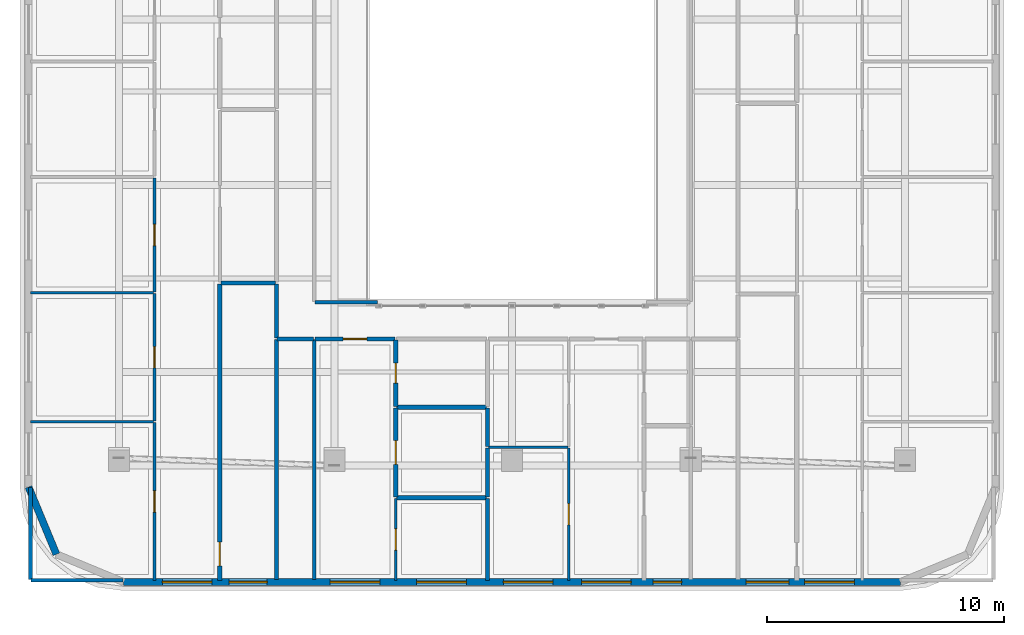
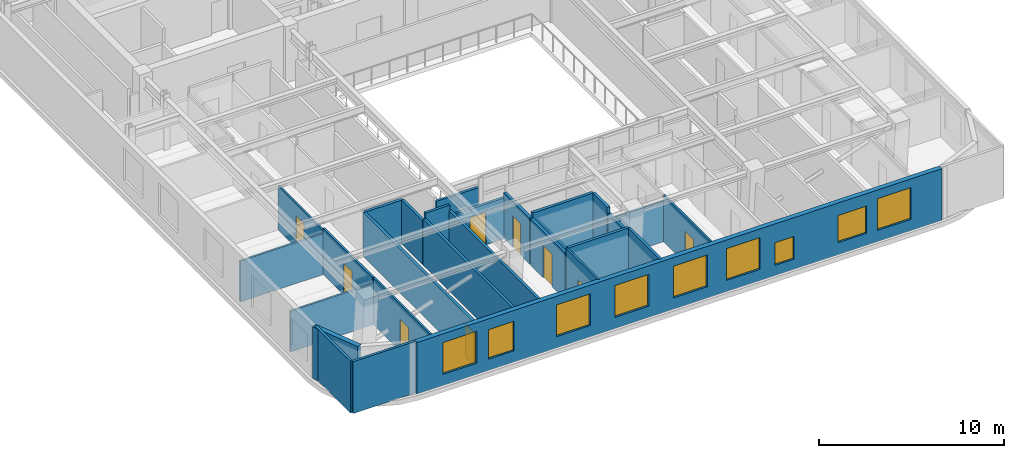
# One storey, part 6 of 13: 27 walls, 9 doors, 9 windows, 18 openings.
"""IFC4 building model written with IfcOpenShell, lengths in metres."""

from ifc_helpers import new_model, si_unit, direction, frame, frame_2d, origin, place, context, subcontext, project, spatial, rectangle, extrude, material, layer, layer_set, type_object, element, fill, save


model = new_model("IFC4")

# Units and contexts
model_context = context("Model", 3, precision=1e-05, world=origin(), true_north=direction((0.0, 1.0)))
body_context = subcontext(model_context, "Body", "Model", "MODEL_VIEW")
ifc_project = project(units=[si_unit("LENGTHUNIT", "METRE"), si_unit("AREAUNIT", "SQUARE_METRE"), si_unit("VOLUMEUNIT", "CUBIC_METRE"), si_unit("PLANEANGLEUNIT", "RADIAN"), si_unit("MASSUNIT", "GRAM", prefix="KILO")], contexts=[model_context])

# Site, building, storey
site_placement = place(None, origin())
site = spatial("IfcSite", under=ifc_project, at=site_placement, CompositionType="ELEMENT")
building_placement = place(site_placement, origin())
building = spatial("IfcBuilding", under=site, at=building_placement, Name="Zarnavel Station Tower", CompositionType="ELEMENT")
storey_placement = place(building_placement, frame((0.0, 0.0, 247.300048828125)))
storey = spatial("IfcBuildingStorey", under=building, at=storey_placement, Name="L67", CompositionType="ELEMENT", Elevation=247.300048828125)

# Wall
ifc_material_1 = material(Name="Precast concrete C45/55 (Dark Basalt Finish)", Category="masonry")
ifc_layer_1 = layer(ifc_material_1, 0.300048828125)
ifc_layer_set_1 = layer_set([ifc_layer_1], Name="EW_BASALT_300")
wall_type_1 = type_object("IfcWallType", Name="EW_BASALT_300", PredefinedType="SOLIDWALL", material=ifc_layer_set_1)
wall_1_placement = place(storey_placement, frame((9.557373046875, -0.24267578125, 0.0), z_axis=(0.0, 0.0, 1.0), x_axis=(-0.382676475685, 0.923882414032, 0.0)))
element("IfcWall", 1, at=wall_1_placement, inside=storey, type_object=wall_type_1, Name="L67 Exterior Basalt Masonry Frame Wall 10", PredefinedType="SOLIDWALL", context=body_context, shape_type="SweptSolid", body=[
    extrude(rectangle(XDim=3.076904296875, YDim=0.300048828125, at=frame_2d((1.53857421875, 0.0))), origin(), (0.0, 0.0, 1.0), 3.419921875),
])

# Wall, openings, windows
wall_2_placement = place(storey_placement, frame((45.199951171875, -1.419921875, 0.0), z_axis=(0.0, 0.0, 1.0), x_axis=(-1.0, 0.0, 0.0)))
wall_2 = element("IfcWall", 2, at=wall_2_placement, inside=storey, type_object=wall_type_1, Name="L67 Exterior Basalt Masonry Frame Wall 12", PredefinedType="SOLIDWALL", context=body_context, shape_type="SweptSolid", body=[
    extrude(rectangle(XDim=32.800048828125, YDim=0.300048828125, at=frame_2d((16.39990234375, 0.0))), origin(), (0.0, 0.0, 1.0), 3.419921875),
])
opening_1_placement = place(wall_2_placement, frame((29.071044921875, 0.0, 0.75)))
opening_1 = element("IfcOpeningElement", 3, at=opening_1_placement, cuts=wall_2, Name="Opening WN05", PredefinedType="OPENING", context=body_context, shape_type="SweptSolid", body=[
    extrude(rectangle(XDim=2.10009765625, YDim=2.10009765625, at=frame_2d((1.050048828125, 1.050048828125))), frame((0.0, 0.159912109375, 0.0), z_axis=(0.0, -1.0, 0.0), x_axis=(1.0, 0.0, 0.0)), (0.0, 0.0, 1.0), 0.320068359375),
])
opening_2_placement = place(wall_2_placement, frame((26.7451171875, 0.0, 0.75)))
opening_2 = element("IfcOpeningElement", 4, at=opening_2_placement, cuts=wall_2, Name="Opening WN06", PredefinedType="OPENING", context=body_context, shape_type="SweptSolid", body=[
    extrude(rectangle(XDim=1.60009765625, YDim=1.949951171875, at=frame_2d((0.800048828125, 0.97509765625))), frame((0.0, 0.159912109375, 0.0), z_axis=(0.0, -1.0, 0.0), x_axis=(1.0, 0.0, 0.0)), (0.0, 0.0, 1.0), 0.320068359375),
])
opening_3_placement = place(wall_2_placement, frame((21.98095703125, 0.0, 0.75)))
opening_3 = element("IfcOpeningElement", 5, at=opening_3_placement, cuts=wall_2, Name="Opening WN05", PredefinedType="OPENING", context=body_context, shape_type="SweptSolid", body=[
    extrude(rectangle(XDim=2.10009765625, YDim=2.10009765625, at=frame_2d((1.050048828125, 1.050048828125))), frame((0.0, 0.159912109375, 0.0), z_axis=(0.0, -1.0, 0.0), x_axis=(1.0, 0.0, 0.0)), (0.0, 0.0, 1.0), 0.320068359375),
])
opening_4_placement = place(wall_2_placement, frame((18.323974609375, 0.0, 0.75)))
opening_4 = element("IfcOpeningElement", 6, at=opening_4_placement, cuts=wall_2, Name="Opening WN05", PredefinedType="OPENING", context=body_context, shape_type="SweptSolid", body=[
    extrude(rectangle(XDim=2.10009765625, YDim=2.10009765625, at=frame_2d((1.050048828125, 1.050048828125))), frame((0.0, 0.159912109375, 0.0), z_axis=(0.0, -1.0, 0.0), x_axis=(1.0, 0.0, 0.0)), (0.0, 0.0, 1.0), 0.320068359375),
])
opening_5_placement = place(wall_2_placement, frame((11.363525390625, 0.0, 0.75)))
opening_5 = element("IfcOpeningElement", 7, at=opening_5_placement, cuts=wall_2, Name="Opening WN05", PredefinedType="OPENING", context=body_context, shape_type="SweptSolid", body=[
    extrude(rectangle(XDim=2.10009765625, YDim=2.10009765625, at=frame_2d((1.050048828125, 1.050048828125))), frame((0.0, 0.159912109375, 0.0), z_axis=(0.0, -1.0, 0.0), x_axis=(1.0, 0.0, 0.0)), (0.0, 0.0, 1.0), 0.320068359375),
])
opening_6_placement = place(wall_2_placement, frame((9.237548828125, 0.0, 0.679931640625)))
opening_6 = element("IfcOpeningElement", 8, at=opening_6_placement, cuts=wall_2, Name="Opening WN08", PredefinedType="OPENING", context=body_context, shape_type="SweptSolid", body=[
    extrude(rectangle(XDim=1.199951171875, YDim=1.5, at=frame_2d((0.60009765625, 0.75))), frame((0.0, 0.159912109375, 0.0), z_axis=(0.0, -1.0, 0.0), x_axis=(1.0, 0.0, 0.0)), (0.0, 0.0, 1.0), 0.320068359375),
])
opening_7_placement = place(wall_2_placement, frame((14.6689453125, 0.0, 0.75)))
opening_7 = element("IfcOpeningElement", 9, at=opening_7_placement, cuts=wall_2, Name="Opening WN05", PredefinedType="OPENING", context=body_context, shape_type="SweptSolid", body=[
    extrude(rectangle(XDim=2.10009765625, YDim=2.10009765625, at=frame_2d((1.050048828125, 1.050048828125))), frame((0.0, 0.159912109375, 0.0), z_axis=(0.0, -1.0, 0.0), x_axis=(1.0, 0.0, 0.0)), (0.0, 0.0, 1.0), 0.320068359375),
])
opening_8_placement = place(wall_2_placement, frame((1.93701171875, 0.0, 0.75)))
opening_8 = element("IfcOpeningElement", 10, at=opening_8_placement, cuts=wall_2, Name="Opening WN05", PredefinedType="OPENING", context=body_context, shape_type="SweptSolid", body=[
    extrude(rectangle(XDim=2.10009765625, YDim=2.10009765625, at=frame_2d((1.050048828125, 1.050048828125))), frame((0.0, 0.159912109375, 0.0), z_axis=(0.0, -1.0, 0.0), x_axis=(1.0, 0.0, 0.0)), (0.0, 0.0, 1.0), 0.320068359375),
])
opening_9_placement = place(wall_2_placement, frame((4.708984375, 0.0, 0.800048828125)))
opening_9 = element("IfcOpeningElement", 11, at=opening_9_placement, cuts=wall_2, Name="Opening WN02", PredefinedType="OPENING", context=body_context, shape_type="SweptSolid", body=[
    extrude(rectangle(XDim=1.800048828125, YDim=1.800048828125, at=frame_2d((0.89990234375, 0.89990234375))), frame((0.0, 0.159912109375, 0.0), z_axis=(0.0, -1.0, 0.0), x_axis=(1.0, 0.0, 0.0)), (0.0, 0.0, 1.0), 0.320068359375),
])
ifc_material_2 = material(Name="Thermally Broken Black Aluminium and Low-E Dark Glass", Category="aluminium")
window_type_1 = type_object("IfcWindowType", Name="WN_1200x1500", PartitioningType="SINGLE_PANEL", PredefinedType="WINDOW", material=ifc_material_2)
window_1_placement = place(opening_6_placement, origin())
window_1 = element("IfcWindow", 12, at=window_1_placement, inside=storey, type_object=window_type_1, Name="L67 Recessed Facade Window 06", OverallHeight=1.5, OverallWidth=1.199951171875, PartitioningType="SINGLE_PANEL", PredefinedType="WINDOW", context=body_context, shape_type="SweptSolid", body=[
    extrude(rectangle(XDim=1.199951171875, YDim=1.5, at=frame_2d((0.60009765625, 0.75))), frame((0.0, 0.030029296875, 0.0), z_axis=(0.0, -1.0, 0.0), x_axis=(1.0, 0.0, 0.0)), (0.0, 0.0, 1.0), 0.06005859375),
])
fill(opening_6, window_1)
ifc_material_3 = material(Name="Thermally Broken Black Aluminium and Low-E Dark Glass", Category="aluminium")
window_type_2 = type_object("IfcWindowType", Name="WN_1600x1950", PartitioningType="DOUBLE_PANEL_VERTICAL", PredefinedType="WINDOW", material=ifc_material_3)
window_2_placement = place(opening_2_placement, origin())
window_2 = element("IfcWindow", 13, at=window_2_placement, inside=storey, type_object=window_type_2, Name="L67 Recessed Facade Window 02", OverallHeight=1.949951171875, OverallWidth=1.60009765625, PartitioningType="SINGLE_PANEL", PredefinedType="WINDOW", context=body_context, shape_type="SweptSolid", body=[
    extrude(rectangle(XDim=1.60009765625, YDim=1.949951171875, at=frame_2d((0.800048828125, 0.97509765625))), frame((0.0, 0.030029296875, 0.0), z_axis=(0.0, -1.0, 0.0), x_axis=(1.0, 0.0, 0.0)), (0.0, 0.0, 1.0), 0.06005859375),
])
fill(opening_2, window_2)
ifc_material_4 = material(Name="Thermally Broken Black Aluminium and Low-E Dark Glass", Category="aluminium")
window_type_3 = type_object("IfcWindowType", Name="WN_1800x1800", PartitioningType="DOUBLE_PANEL_VERTICAL", PredefinedType="WINDOW", material=ifc_material_4)
window_3_placement = place(opening_9_placement, origin())
window_3 = element("IfcWindow", 14, at=window_3_placement, inside=storey, type_object=window_type_3, Name="L67 Recessed Facade Window 09", OverallHeight=1.800048828125, OverallWidth=1.800048828125, PartitioningType="SINGLE_PANEL", PredefinedType="WINDOW", context=body_context, shape_type="SweptSolid", body=[
    extrude(rectangle(XDim=1.800048828125, YDim=1.800048828125, at=frame_2d((0.89990234375, 0.89990234375))), frame((0.0, 0.030029296875, 0.0), z_axis=(0.0, -1.0, 0.0), x_axis=(1.0, 0.0, 0.0)), (0.0, 0.0, 1.0), 0.06005859375),
])
fill(opening_9, window_3)
ifc_material_5 = material(Name="Thermally Broken Black Aluminium and Low-E Dark Glass", Category="aluminium")
window_type_4 = type_object("IfcWindowType", Name="WN_2100x2100", PartitioningType="TRIPLE_PANEL_VERTICAL", PredefinedType="WINDOW", material=ifc_material_5)
window_4_placement = place(opening_1_placement, origin())
window_4 = element("IfcWindow", 15, at=window_4_placement, inside=storey, type_object=window_type_4, Name="L67 Recessed Facade Window 01", OverallHeight=2.10009765625, OverallWidth=2.10009765625, PartitioningType="SINGLE_PANEL", PredefinedType="WINDOW", context=body_context, shape_type="SweptSolid", body=[
    extrude(rectangle(XDim=2.10009765625, YDim=2.10009765625, at=frame_2d((1.050048828125, 1.050048828125))), frame((0.0, 0.030029296875, 0.0), z_axis=(0.0, -1.0, 0.0), x_axis=(1.0, 0.0, 0.0)), (0.0, 0.0, 1.0), 0.06005859375),
])
fill(opening_1, window_4)
window_5_placement = place(opening_3_placement, origin())
window_5 = element("IfcWindow", 16, at=window_5_placement, inside=storey, type_object=window_type_4, Name="L67 Recessed Facade Window 03", OverallHeight=2.10009765625, OverallWidth=2.10009765625, PartitioningType="SINGLE_PANEL", PredefinedType="WINDOW", context=body_context, shape_type="SweptSolid", body=[
    extrude(rectangle(XDim=2.10009765625, YDim=2.10009765625, at=frame_2d((1.050048828125, 1.050048828125))), frame((0.0, 0.030029296875, 0.0), z_axis=(0.0, -1.0, 0.0), x_axis=(1.0, 0.0, 0.0)), (0.0, 0.0, 1.0), 0.06005859375),
])
fill(opening_3, window_5)
window_6_placement = place(opening_4_placement, origin())
window_6 = element("IfcWindow", 17, at=window_6_placement, inside=storey, type_object=window_type_4, Name="L67 Recessed Facade Window 04", OverallHeight=2.10009765625, OverallWidth=2.10009765625, PartitioningType="SINGLE_PANEL", PredefinedType="WINDOW", context=body_context, shape_type="SweptSolid", body=[
    extrude(rectangle(XDim=2.10009765625, YDim=2.10009765625, at=frame_2d((1.050048828125, 1.050048828125))), frame((0.0, 0.030029296875, 0.0), z_axis=(0.0, -1.0, 0.0), x_axis=(1.0, 0.0, 0.0)), (0.0, 0.0, 1.0), 0.06005859375),
])
fill(opening_4, window_6)
window_7_placement = place(opening_5_placement, origin())
window_7 = element("IfcWindow", 18, at=window_7_placement, inside=storey, type_object=window_type_4, Name="L67 Recessed Facade Window 05", OverallHeight=2.10009765625, OverallWidth=2.10009765625, PartitioningType="SINGLE_PANEL", PredefinedType="WINDOW", context=body_context, shape_type="SweptSolid", body=[
    extrude(rectangle(XDim=2.10009765625, YDim=2.10009765625, at=frame_2d((1.050048828125, 1.050048828125))), frame((0.0, 0.030029296875, 0.0), z_axis=(0.0, -1.0, 0.0), x_axis=(1.0, 0.0, 0.0)), (0.0, 0.0, 1.0), 0.06005859375),
])
fill(opening_5, window_7)
window_8_placement = place(opening_7_placement, origin())
window_8 = element("IfcWindow", 19, at=window_8_placement, inside=storey, type_object=window_type_4, Name="L67 Recessed Facade Window 07", OverallHeight=2.10009765625, OverallWidth=2.10009765625, PartitioningType="SINGLE_PANEL", PredefinedType="WINDOW", context=body_context, shape_type="SweptSolid", body=[
    extrude(rectangle(XDim=2.10009765625, YDim=2.10009765625, at=frame_2d((1.050048828125, 1.050048828125))), frame((0.0, 0.030029296875, 0.0), z_axis=(0.0, -1.0, 0.0), x_axis=(1.0, 0.0, 0.0)), (0.0, 0.0, 1.0), 0.06005859375),
])
fill(opening_7, window_8)
window_9_placement = place(opening_8_placement, origin())
window_9 = element("IfcWindow", 20, at=window_9_placement, inside=storey, type_object=window_type_4, Name="L67 Recessed Facade Window 08", OverallHeight=2.10009765625, OverallWidth=2.10009765625, PartitioningType="SINGLE_PANEL", PredefinedType="WINDOW", context=body_context, shape_type="SweptSolid", body=[
    extrude(rectangle(XDim=2.10009765625, YDim=2.10009765625, at=frame_2d((1.050048828125, 1.050048828125))), frame((0.0, 0.030029296875, 0.0), z_axis=(0.0, -1.0, 0.0), x_axis=(1.0, 0.0, 0.0)), (0.0, 0.0, 1.0), 0.06005859375),
])
fill(opening_8, window_9)

# Wall, opening, door
ifc_material_6 = material(Name="Gypsum Twin-Stud Acoustic Fire Partition", Category="concrete")
ifc_layer_2 = layer(ifc_material_6, 0.159912109375)
ifc_layer_set_2 = layer_set([ifc_layer_2], Name="PT_DEMISE_160")
wall_type_2 = type_object("IfcWallType", Name="PT_DEMISE_160", PredefinedType="PARTITIONING", material=ifc_layer_set_2)
wall_3_placement = place(storey_placement, frame((20.489990234375, 8.85009765625, 0.0), z_axis=(0.0, 0.0, 1.0), x_axis=(1.0, 0.0, 0.0)))
wall_3 = element("IfcWall", 21, at=wall_3_placement, inside=storey, type_object=wall_type_2, Name="L67 Partition COR-AS-US1ALV", PredefinedType="PARTITIONING", context=body_context, shape_type="SweptSolid", body=[
    extrude(rectangle(XDim=3.35791015625, YDim=0.159912109375, at=frame_2d((1.678955078125, 0.0))), origin(), (0.0, 0.0, 1.0), 2.699951171875),
])
opening_10_placement = place(wall_3_placement, frame((1.178955078125, 0.0, 0.0)))
opening_10 = element("IfcOpeningElement", 22, at=opening_10_placement, cuts=wall_3, Name="Opening FD02", PredefinedType="OPENING", context=body_context, shape_type="SweptSolid", body=[
    extrude(rectangle(XDim=1.0, YDim=2.14990234375, at=frame_2d((0.5, 1.074951171875))), frame((0.0, 0.08984375, 0.0), z_axis=(0.0, -1.0, 0.0), x_axis=(1.0, 0.0, 0.0)), (0.0, 0.0, 1.0), 0.179931640625),
])
ifc_material_7 = material(Name="Painted Galvanised Steel and Hardwood Leaf", Category="steel")
door_type_1 = type_object("IfcDoorType", Name="ID_ENTRY_1000", OperationType="NOTDEFINED", PredefinedType="DOOR", material=ifc_material_7)
door_1_placement = place(opening_10_placement, origin())
door_1 = element("IfcDoor", 23, at=door_1_placement, inside=storey, type_object=door_type_1, Name="L67 Door COR-AS-US1ALV", OperationType="SINGLE_SWING_LEFT", OverallHeight=2.14990234375, OverallWidth=1.0, PredefinedType="DOOR", context=body_context, shape_type="SweptSolid", body=[
    extrude(rectangle(XDim=1.0, YDim=2.14990234375, at=frame_2d((0.5, 1.074951171875))), frame((0.0, 0.02490234375, 0.0), z_axis=(0.0, -1.0, 0.0), x_axis=(1.0, 0.0, 0.0)), (0.0, 0.0, 1.0), 0.050048828125),
])
fill(opening_10, door_1)

# Walls
wall_4_placement = place(storey_placement, frame((27.763916015625, -1.340087890625, 0.0), z_axis=(0.0, 0.0, 1.0), x_axis=(0.0, 1.0, 0.0)))
element("IfcWall", 24, at=wall_4_placement, inside=storey, type_object=wall_type_2, Name="L67 Partition US1AB1-US1BB1", PredefinedType="PARTITIONING", context=body_context, shape_type="SweptSolid", body=[
    extrude(rectangle(XDim=3.443115234375, YDim=0.159912109375, at=frame_2d((1.7216796875, 0.0))), origin(), (0.0, 0.0, 1.0), 3.419921875),
])
wall_5_placement = place(storey_placement, frame((18.8798828125, 8.85009765625, 0.0), z_axis=(0.0, 0.0, 1.0), x_axis=(1.0, 0.0, 0.0)))
element("IfcWall", 25, at=wall_5_placement, inside=storey, type_object=wall_type_2, Name="L67 Enclosure Wall COR-AW", PredefinedType="PARTITIONING", context=body_context, shape_type="SweptSolid", body=[
    extrude(rectangle(XDim=1.5400390625, YDim=0.159912109375, at=frame_2d((0.77001953125, 0.0))), origin(), (0.0, 0.0, 1.0), 3.419921875),
])
wall_6_placement = place(storey_placement, frame((20.47998046875, 10.39990234375, 0.0), z_axis=(0.0, 0.0, 1.0), x_axis=(1.0, 0.0, 0.0)))
element("IfcWall", 26, at=wall_6_placement, inside=storey, type_object=wall_type_2, Name="L67 Enclosure Wall COR-AS", PredefinedType="PARTITIONING", context=body_context, shape_type="SweptSolid", body=[
    extrude(rectangle(XDim=2.64013671875, YDim=0.159912109375, at=frame_2d((1.320068359375, 0.0))), origin(), (0.0, 0.0, 1.0), 2.699951171875),
])
wall_7_placement = place(storey_placement, frame((18.85009765625, -1.31005859375, 0.0), z_axis=(0.0, 0.0, 1.0), x_axis=(0.0, 1.0, 0.0)))
element("IfcWall", 27, at=wall_7_placement, inside=storey, type_object=wall_type_2, Name="L67 Enclosure Wall UW1KT", PredefinedType="PARTITIONING", context=body_context, shape_type="SweptSolid", body=[
    extrude(rectangle(XDim=10.130126953125, YDim=0.159912109375, at=frame_2d((5.06494140625, 0.0))), origin(), (0.0, 0.0, 1.0), 3.050048828125),
])
for number, where, z_axis, x_axis, name in (
    (28, (8.489990234375, -1.340087890625, 0.0), (0.0, 0.0, 1.0), (1.0, 0.0, 0.0), "L67 Enclosure Wall UW1B1"),
    (29, (8.4599609375, -1.31005859375, 0.0), (0.0, 0.0, 1.0), (0.0, 1.0, 0.0), "L67 Enclosure Wall UW1B1"),
):
    element("IfcWall", number, at=place(storey_placement, frame(where, z_axis=z_axis, x_axis=x_axis)), inside=storey, type_object=wall_type_2, Name=name, PredefinedType="PARTITIONING", context=body_context, shape_type="SweptSolid", body=[
        extrude(rectangle(XDim=3.880126953125, YDim=0.159912109375, at=frame_2d((1.93994140625, 0.0))), origin(), (0.0, 0.0, 1.0), 3.419921875),
    ])
wall_8_placement = place(storey_placement, frame((20.449951171875, -1.31005859375, 0.0), z_axis=(0.0, 0.0, 1.0), x_axis=(0.0, 1.0, 0.0)))
element("IfcWall", 30, at=wall_8_placement, inside=storey, type_object=wall_type_2, Name="L67 Enclosure Wall US1ALV", PredefinedType="PARTITIONING", context=body_context, shape_type="SweptSolid", body=[
    extrude(rectangle(XDim=10.130126953125, YDim=0.159912109375, at=frame_2d((5.06494140625, 0.0))), origin(), (0.0, 0.0, 1.0), 3.050048828125),
])

# Wall, opening, door
ifc_material_8 = material(Name="Gypsum Metal-Stud Interior Partition", Category="concrete")
ifc_layer_3 = layer(ifc_material_8, 0.1201171875)
ifc_layer_set_3 = layer_set([ifc_layer_3], Name="PT_ROOM_120")
wall_type_3 = type_object("IfcWallType", Name="PT_ROOM_120", PredefinedType="PARTITIONING", material=ifc_layer_set_3)
wall_9_placement = place(storey_placement, frame((13.697998046875, -1.340087890625, 0.0), z_axis=(0.0, 0.0, 1.0), x_axis=(0.0, 1.0, 0.0)))
wall_9 = element("IfcWall", 31, at=wall_9_placement, inside=storey, type_object=wall_type_3, Name="L67 Partition UW1LV-UW1B1", PredefinedType="PARTITIONING", context=body_context, shape_type="SweptSolid", body=[
    extrude(rectangle(XDim=6.656982421875, YDim=0.1201171875, at=frame_2d((3.32861328125, 0.0))), origin(), (0.0, 0.0, 1.0), 3.079833984375),
])
opening_11_placement = place(wall_9_placement, frame((2.87841796875, 0.0, 0.0)))
opening_11 = element("IfcOpeningElement", 32, at=opening_11_placement, cuts=wall_9, Name="Opening ID01", PredefinedType="OPENING", context=body_context, shape_type="SweptSolid", body=[
    extrude(rectangle(XDim=0.89990234375, YDim=2.10009765625, at=frame_2d((0.449951171875, 1.050048828125))), frame((0.0, 0.070068359375, 0.0), z_axis=(0.0, -1.0, 0.0), x_axis=(1.0, 0.0, 0.0)), (0.0, 0.0, 1.0), 0.14013671875),
])
ifc_material_9 = material(Name="Painted Galvanised Steel and Hardwood Leaf", Category="steel")
door_type_2 = type_object("IfcDoorType", Name="ID_ROOM_900", OperationType="NOTDEFINED", PredefinedType="DOOR", material=ifc_material_9)
door_2_placement = place(opening_11_placement, origin())
door_2 = element("IfcDoor", 33, at=door_2_placement, inside=storey, type_object=door_type_2, Name="L67 Door UW1LV-UW1B1", OperationType="SINGLE_SWING_LEFT", OverallHeight=2.10009765625, OverallWidth=0.89990234375, PredefinedType="DOOR", context=body_context, shape_type="SweptSolid", body=[
    extrude(rectangle(XDim=0.89990234375, YDim=2.10009765625, at=frame_2d((0.449951171875, 1.050048828125))), frame((0.0, 0.02490234375, 0.0), z_axis=(0.0, -1.0, 0.0), x_axis=(1.0, 0.0, 0.0)), (0.0, 0.0, 1.0), 0.050048828125),
])
fill(opening_11, door_2)

wall_10_placement = place(storey_placement, frame((13.697998046875, 5.39697265625, 0.0), z_axis=(0.0, 0.0, 1.0), x_axis=(0.0, 1.0, 0.0)))
wall_10 = element("IfcWall", 34, at=wall_10_placement, inside=storey, type_object=wall_type_3, Name="L67 Partition UW1LV-UW1B2", PredefinedType="PARTITIONING", context=body_context, shape_type="SweptSolid", body=[
    extrude(rectangle(XDim=5.369140625, YDim=0.1201171875, at=frame_2d((2.6845703125, 0.0))), origin(), (0.0, 0.0, 1.0), 3.050048828125),
])
opening_12_placement = place(wall_10_placement, frame((2.234619140625, 0.0, 0.0)))
opening_12 = element("IfcOpeningElement", 35, at=opening_12_placement, cuts=wall_10, Name="Opening ID01", PredefinedType="OPENING", context=body_context, shape_type="SweptSolid", body=[
    extrude(rectangle(XDim=0.89990234375, YDim=2.10009765625, at=frame_2d((0.449951171875, 1.050048828125))), frame((0.0, 0.070068359375, 0.0), z_axis=(0.0, -1.0, 0.0), x_axis=(1.0, 0.0, 0.0)), (0.0, 0.0, 1.0), 0.14013671875),
])
door_3_placement = place(opening_12_placement, origin())
door_3 = element("IfcDoor", 36, at=door_3_placement, inside=storey, type_object=door_type_2, Name="L67 Door UW1LV-UW1B2", OperationType="SINGLE_SWING_RIGHT", OverallHeight=2.10009765625, OverallWidth=0.89990234375, PredefinedType="DOOR", context=body_context, shape_type="SweptSolid", body=[
    extrude(rectangle(XDim=0.89990234375, YDim=2.10009765625, at=frame_2d((0.449951171875, 1.050048828125))), frame((0.0, 0.02490234375, 0.0), z_axis=(0.0, -1.0, 0.0), x_axis=(1.0, 0.0, 0.0)), (0.0, 0.0, 1.0), 0.050048828125),
])
fill(opening_12, door_3)

wall_11_placement = place(storey_placement, frame((13.697998046875, 10.845947265625, 0.0), z_axis=(0.0, 0.0, 1.0), x_axis=(0.0, 1.0, 0.0)))
wall_11 = element("IfcWall", 37, at=wall_11_placement, inside=storey, type_object=wall_type_3, Name="L67 Partition UW1LV-UW1B3", PredefinedType="PARTITIONING", context=body_context, shape_type="SweptSolid", body=[
    extrude(rectangle(XDim=4.801025390625, YDim=0.1201171875, at=frame_2d((2.400390625, 0.0))), origin(), (0.0, 0.0, 1.0), 2.89990234375),
])
opening_13_placement = place(wall_11_placement, frame((1.950439453125, 0.0, 0.0)))
opening_13 = element("IfcOpeningElement", 38, at=opening_13_placement, cuts=wall_11, Name="Opening ID01", PredefinedType="OPENING", context=body_context, shape_type="SweptSolid", body=[
    extrude(rectangle(XDim=0.89990234375, YDim=2.10009765625, at=frame_2d((0.449951171875, 1.050048828125))), frame((0.0, 0.070068359375, 0.0), z_axis=(0.0, -1.0, 0.0), x_axis=(1.0, 0.0, 0.0)), (0.0, 0.0, 1.0), 0.14013671875),
])
door_4_placement = place(opening_13_placement, origin())
door_4 = element("IfcDoor", 39, at=door_4_placement, inside=storey, type_object=door_type_2, Name="L67 Door UW1LV-UW1B3", OperationType="SINGLE_SWING_LEFT", OverallHeight=2.10009765625, OverallWidth=0.89990234375, PredefinedType="DOOR", context=body_context, shape_type="SweptSolid", body=[
    extrude(rectangle(XDim=0.89990234375, YDim=2.10009765625, at=frame_2d((0.449951171875, 1.050048828125))), frame((0.0, 0.02490234375, 0.0), z_axis=(0.0, -1.0, 0.0), x_axis=(1.0, 0.0, 0.0)), (0.0, 0.0, 1.0), 0.050048828125),
])
fill(opening_13, door_4)

# Walls
for number, where, z_axis, x_axis, name in (
    (40, (8.4599609375, 5.35693359375, 0.0), (0.0, 0.0, 1.0), (1.0, 0.0, 0.0), "L67 Partition UW1B1-UW1B2"),
    (41, (8.4599609375, 10.805908203125, 0.0), (0.0, 0.0, 1.0), (1.0, 0.0, 0.0), "L67 Partition UW1B2-UW1B3"),
):
    element("IfcWall", number, at=place(storey_placement, frame(where, z_axis=z_axis, x_axis=x_axis)), inside=storey, type_object=wall_type_3, Name=name, PredefinedType="PARTITIONING", context=body_context, shape_type="SweptSolid", body=[
        extrude(rectangle(XDim=5.197998046875, YDim=0.1201171875, at=frame_2d((2.59912109375, 0.0))), origin(), (0.0, 0.0, 1.0), 2.699951171875),
    ])

# Wall, opening, door
wall_12_placement = place(storey_placement, frame((23.887939453125, -1.340087890625, 0.0), z_axis=(0.0, 0.0, 1.0), x_axis=(0.0, 1.0, 0.0)))
wall_12 = element("IfcWall", 42, at=wall_12_placement, inside=storey, type_object=wall_type_3, Name="L67 Partition US1ALV-US1AB1", PredefinedType="PARTITIONING", context=body_context, shape_type="SweptSolid", body=[
    extrude(rectangle(XDim=3.443115234375, YDim=0.1201171875, at=frame_2d((1.7216796875, 0.0))), origin(), (0.0, 0.0, 1.0), 3.419921875),
])
opening_14_placement = place(wall_12_placement, frame((1.271484375, 0.0, 0.0)))
opening_14 = element("IfcOpeningElement", 43, at=opening_14_placement, cuts=wall_12, Name="Opening ID01", PredefinedType="OPENING", context=body_context, shape_type="SweptSolid", body=[
    extrude(rectangle(XDim=0.89990234375, YDim=2.10009765625, at=frame_2d((0.449951171875, 1.050048828125))), frame((0.0, 0.070068359375, 0.0), z_axis=(0.0, -1.0, 0.0), x_axis=(1.0, 0.0, 0.0)), (0.0, 0.0, 1.0), 0.14013671875),
])
door_5_placement = place(opening_14_placement, origin())
door_5 = element("IfcDoor", 44, at=door_5_placement, inside=storey, type_object=door_type_2, Name="L67 Door US1ALV-US1AB1", OperationType="SINGLE_SWING_RIGHT", OverallHeight=2.10009765625, OverallWidth=0.89990234375, PredefinedType="DOOR", context=body_context, shape_type="SweptSolid", body=[
    extrude(rectangle(XDim=0.89990234375, YDim=2.10009765625, at=frame_2d((0.449951171875, 1.050048828125))), frame((0.0, 0.02490234375, 0.0), z_axis=(0.0, -1.0, 0.0), x_axis=(1.0, 0.0, 0.0)), (0.0, 0.0, 1.0), 0.050048828125),
])
fill(opening_14, door_5)

wall_13_placement = place(storey_placement, frame((31.197998046875, -1.340087890625, 0.0), z_axis=(0.0, 0.0, 1.0), x_axis=(0.0, 1.0, 0.0)))
wall_13 = element("IfcWall", 45, at=wall_13_placement, inside=storey, type_object=wall_type_3, Name="L67 Partition US1BLV-US1BB1", PredefinedType="PARTITIONING", context=body_context, shape_type="SweptSolid", body=[
    extrude(rectangle(XDim=5.5791015625, YDim=0.1201171875, at=frame_2d((2.78955078125, 0.0))), origin(), (0.0, 0.0, 1.0), 3.079833984375),
])
opening_15_placement = place(wall_13_placement, frame((2.339599609375, 0.0, 0.0)))
opening_15 = element("IfcOpeningElement", 46, at=opening_15_placement, cuts=wall_13, Name="Opening ID01", PredefinedType="OPENING", context=body_context, shape_type="SweptSolid", body=[
    extrude(rectangle(XDim=0.89990234375, YDim=2.10009765625, at=frame_2d((0.449951171875, 1.050048828125))), frame((0.0, 0.070068359375, 0.0), z_axis=(0.0, -1.0, 0.0), x_axis=(1.0, 0.0, 0.0)), (0.0, 0.0, 1.0), 0.14013671875),
])
door_6_placement = place(opening_15_placement, origin())
door_6 = element("IfcDoor", 47, at=door_6_placement, inside=storey, type_object=door_type_2, Name="L67 Door US1BLV-US1BB1", OperationType="SINGLE_SWING_LEFT", OverallHeight=2.10009765625, OverallWidth=0.89990234375, PredefinedType="DOOR", context=body_context, shape_type="SweptSolid", body=[
    extrude(rectangle(XDim=0.89990234375, YDim=2.10009765625, at=frame_2d((0.449951171875, 1.050048828125))), frame((0.0, 0.02490234375, 0.0), z_axis=(0.0, -1.0, 0.0), x_axis=(1.0, 0.0, 0.0)), (0.0, 0.0, 1.0), 0.050048828125),
])
fill(opening_15, door_6)

# Walls
wall_14_placement = place(storey_placement, frame((27.803955078125, 4.279052734375, 0.0), z_axis=(0.0, 0.0, 1.0), x_axis=(1.0, 0.0, 0.0)))
element("IfcWall", 48, at=wall_14_placement, inside=storey, type_object=wall_type_3, Name="L67 Partition US1BB1-US1BB2", PredefinedType="PARTITIONING", context=body_context, shape_type="SweptSolid", body=[
    extrude(rectangle(XDim=3.35400390625, YDim=0.1201171875, at=frame_2d((1.677001953125, 0.0))), origin(), (0.0, 0.0, 1.0), 2.699951171875),
])
ifc_material_10 = material(Name="Moisture-Resistant Plumbing Chase Wall", Category="concrete")
ifc_layer_4 = layer(ifc_material_10, 0.179931640625)
ifc_layer_set_4 = layer_set([ifc_layer_4], Name="PW_PLUMB_180")
wall_type_4 = type_object("IfcWallType", Name="PW_PLUMB_180", PredefinedType="PLUMBINGWALL", material=ifc_layer_set_4)
wall_15_placement = place(storey_placement, frame((18.85009765625, 8.889892578125, 0.0), z_axis=(0.0, 0.0, 1.0), x_axis=(0.0, 1.0, 0.0)))
element("IfcWall", 49, at=wall_15_placement, inside=storey, type_object=wall_type_4, Name="L67 Partition COR-AW-UW1KT", PredefinedType="PLUMBINGWALL", context=body_context, shape_type="SweptSolid", body=[
    extrude(rectangle(XDim=2.2822265625, YDim=0.179931640625, at=frame_2d((1.14111328125, 0.0))), origin(), (0.0, 0.0, 1.0), 2.89990234375),
])

# Wall, opening, door
wall_16_placement = place(storey_placement, frame((16.4599609375, -1.340087890625, 0.0), z_axis=(0.0, 0.0, 1.0), x_axis=(0.0, 1.0, 0.0)))
wall_16 = element("IfcWall", 50, at=wall_16_placement, inside=storey, type_object=wall_type_4, Name="L67 Partition UW1LV-UW1KT", PredefinedType="PLUMBINGWALL", context=body_context, shape_type="SweptSolid", body=[
    extrude(rectangle(XDim=12.51220703125, YDim=0.179931640625, at=frame_2d((6.256103515625, 0.0))), origin(), (0.0, 0.0, 1.0), 2.89990234375),
])
opening_16_placement = place(wall_16_placement, frame((0.60791015625, 0.0, 0.0)))
opening_16 = element("IfcOpeningElement", 51, at=opening_16_placement, cuts=wall_16, Name="Opening FD02", PredefinedType="OPENING", context=body_context, shape_type="SweptSolid", body=[
    extrude(rectangle(XDim=1.0, YDim=2.14990234375, at=frame_2d((0.5, 1.074951171875))), frame((0.0, 0.099853515625, 0.0), z_axis=(0.0, -1.0, 0.0), x_axis=(1.0, 0.0, 0.0)), (0.0, 0.0, 1.0), 0.199951171875),
])
door_7_placement = place(opening_16_placement, origin())
door_7 = element("IfcDoor", 52, at=door_7_placement, inside=storey, type_object=door_type_1, Name="L67 Door UW1LV-UW1KT", OperationType="SINGLE_SWING_RIGHT", OverallHeight=2.14990234375, OverallWidth=1.0, PredefinedType="DOOR", context=body_context, shape_type="SweptSolid", body=[
    extrude(rectangle(XDim=1.0, YDim=2.14990234375, at=frame_2d((0.5, 1.074951171875))), frame((0.0, 0.02490234375, 0.0), z_axis=(0.0, -1.0, 0.0), x_axis=(1.0, 0.0, 0.0)), (0.0, 0.0, 1.0), 0.050048828125),
])
fill(opening_16, door_7)

# Wall
wall_17_placement = place(storey_placement, frame((16.5, 11.2119140625, 0.0), z_axis=(0.0, 0.0, 1.0), x_axis=(1.0, 0.0, 0.0)))
element("IfcWall", 53, at=wall_17_placement, inside=storey, type_object=wall_type_4, Name="L67 Partition UW1KT-UW1UT", PredefinedType="PLUMBINGWALL", context=body_context, shape_type="SweptSolid", body=[
    extrude(rectangle(XDim=2.31005859375, YDim=0.179931640625, at=frame_2d((1.155029296875, 0.0))), origin(), (0.0, 0.0, 1.0), 2.89990234375),
])

# Wall, opening, door
wall_18_placement = place(storey_placement, frame((23.887939453125, 2.18310546875, 0.0), z_axis=(0.0, 0.0, 1.0), x_axis=(0.0, 1.0, 0.0)))
wall_18 = element("IfcWall", 54, at=wall_18_placement, inside=storey, type_object=wall_type_4, Name="L67 Partition US1ALV-US1AKT", PredefinedType="PLUMBINGWALL", context=body_context, shape_type="SweptSolid", body=[
    extrude(rectangle(XDim=3.742919921875, YDim=0.179931640625, at=frame_2d((1.87158203125, 0.0))), origin(), (0.0, 0.0, 1.0), 3.079833984375),
])
opening_17_placement = place(wall_18_placement, frame((1.37158203125, 0.0, 0.0)))
opening_17 = element("IfcOpeningElement", 55, at=opening_17_placement, cuts=wall_18, Name="Opening FD02", PredefinedType="OPENING", context=body_context, shape_type="SweptSolid", body=[
    extrude(rectangle(XDim=1.0, YDim=2.14990234375, at=frame_2d((0.5, 1.074951171875))), frame((0.0, 0.099853515625, 0.0), z_axis=(0.0, -1.0, 0.0), x_axis=(1.0, 0.0, 0.0)), (0.0, 0.0, 1.0), 0.199951171875),
])
door_8_placement = place(opening_17_placement, origin())
door_8 = element("IfcDoor", 56, at=door_8_placement, inside=storey, type_object=door_type_1, Name="L67 Door US1ALV-US1AKT", OperationType="SINGLE_SWING_LEFT", OverallHeight=2.14990234375, OverallWidth=1.0, PredefinedType="DOOR", context=body_context, shape_type="SweptSolid", body=[
    extrude(rectangle(XDim=1.0, YDim=2.14990234375, at=frame_2d((0.5, 1.074951171875))), frame((0.0, 0.02490234375, 0.0), z_axis=(0.0, -1.0, 0.0), x_axis=(1.0, 0.0, 0.0)), (0.0, 0.0, 1.0), 0.050048828125),
])
fill(opening_17, door_8)

wall_19_placement = place(storey_placement, frame((23.887939453125, 6.006103515625, 0.0), z_axis=(0.0, 0.0, 1.0), x_axis=(0.0, 1.0, 0.0)))
wall_19 = element("IfcWall", 57, at=wall_19_placement, inside=storey, type_object=wall_type_4, Name="L67 Partition US1ALV-US1ABA", PredefinedType="PLUMBINGWALL", context=body_context, shape_type="SweptSolid", body=[
    extrude(rectangle(XDim=2.803955078125, YDim=0.179931640625, at=frame_2d((1.40185546875, 0.0))), origin(), (0.0, 0.0, 1.0), 3.0400390625),
])
opening_18_placement = place(wall_19_placement, frame((0.97705078125, 0.0, 0.0)))
opening_18 = element("IfcOpeningElement", 58, at=opening_18_placement, cuts=wall_19, Name="Opening ID02", PredefinedType="OPENING", context=body_context, shape_type="SweptSolid", body=[
    extrude(rectangle(XDim=0.85009765625, YDim=2.10009765625, at=frame_2d((0.425048828125, 1.050048828125))), frame((0.0, 0.099853515625, 0.0), z_axis=(0.0, -1.0, 0.0), x_axis=(1.0, 0.0, 0.0)), (0.0, 0.0, 1.0), 0.199951171875),
])
ifc_material_11 = material(Name="Painted Galvanised Steel and Hardwood Leaf", Category="steel")
door_type_3 = type_object("IfcDoorType", Name="ID_BATH_850", OperationType="NOTDEFINED", PredefinedType="DOOR", material=ifc_material_11)
door_9_placement = place(opening_18_placement, origin())
door_9 = element("IfcDoor", 59, at=door_9_placement, inside=storey, type_object=door_type_3, Name="L67 Door US1ALV-US1ABA", OperationType="SINGLE_SWING_RIGHT", OverallHeight=2.10009765625, OverallWidth=0.85009765625, PredefinedType="DOOR", context=body_context, shape_type="SweptSolid", body=[
    extrude(rectangle(XDim=0.85009765625, YDim=2.10009765625, at=frame_2d((0.425048828125, 1.050048828125))), frame((0.0, 0.02490234375, 0.0), z_axis=(0.0, -1.0, 0.0), x_axis=(1.0, 0.0, 0.0)), (0.0, 0.0, 1.0), 0.050048828125),
])
fill(opening_18, door_9)

# Walls
for number, where, z_axis, x_axis, name in (
    (60, (23.927978515625, 2.14306640625, 0.0), (0.0, 0.0, 1.0), (1.0, 0.0, 0.0), "L67 Partition US1AB1-US1AKT"),
    (61, (23.927978515625, 5.966064453125, 0.0), (0.0, 0.0, 1.0), (1.0, 0.0, 0.0), "L67 Partition US1AKT-US1ABA"),
):
    element("IfcWall", number, at=place(storey_placement, frame(where, z_axis=z_axis, x_axis=x_axis)), inside=storey, type_object=wall_type_4, Name=name, PredefinedType="PLUMBINGWALL", context=body_context, shape_type="SweptSolid", body=[
        extrude(rectangle(XDim=3.796142578125, YDim=0.179931640625, at=frame_2d((1.89794921875, 0.0))), origin(), (0.0, 0.0, 1.0), 3.419921875),
    ])
wall_20_placement = place(storey_placement, frame((27.763916015625, 2.18310546875, 0.0), z_axis=(0.0, 0.0, 1.0), x_axis=(0.0, 1.0, 0.0)))
element("IfcWall", 62, at=wall_20_placement, inside=storey, type_object=wall_type_4, Name="L67 Partition US1AKT-US1BB1", PredefinedType="PLUMBINGWALL", context=body_context, shape_type="SweptSolid", body=[
    extrude(rectangle(XDim=2.055908203125, YDim=0.179931640625, at=frame_2d((1.02783203125, 0.0))), origin(), (0.0, 0.0, 1.0), 3.079833984375),
])
wall_21_placement = place(storey_placement, frame((27.763916015625, 4.319091796875, 0.0), z_axis=(0.0, 0.0, 1.0), x_axis=(0.0, 1.0, 0.0)))
element("IfcWall", 63, at=wall_21_placement, inside=storey, type_object=wall_type_4, Name="L67 Partition US1AKT-US1BB2", PredefinedType="PLUMBINGWALL", context=body_context, shape_type="SweptSolid", body=[
    extrude(rectangle(XDim=1.60693359375, YDim=0.179931640625, at=frame_2d((0.803466796875, 0.0))), origin(), (0.0, 0.0, 1.0), 3.419921875),
])

save(model, "model.ifc")
